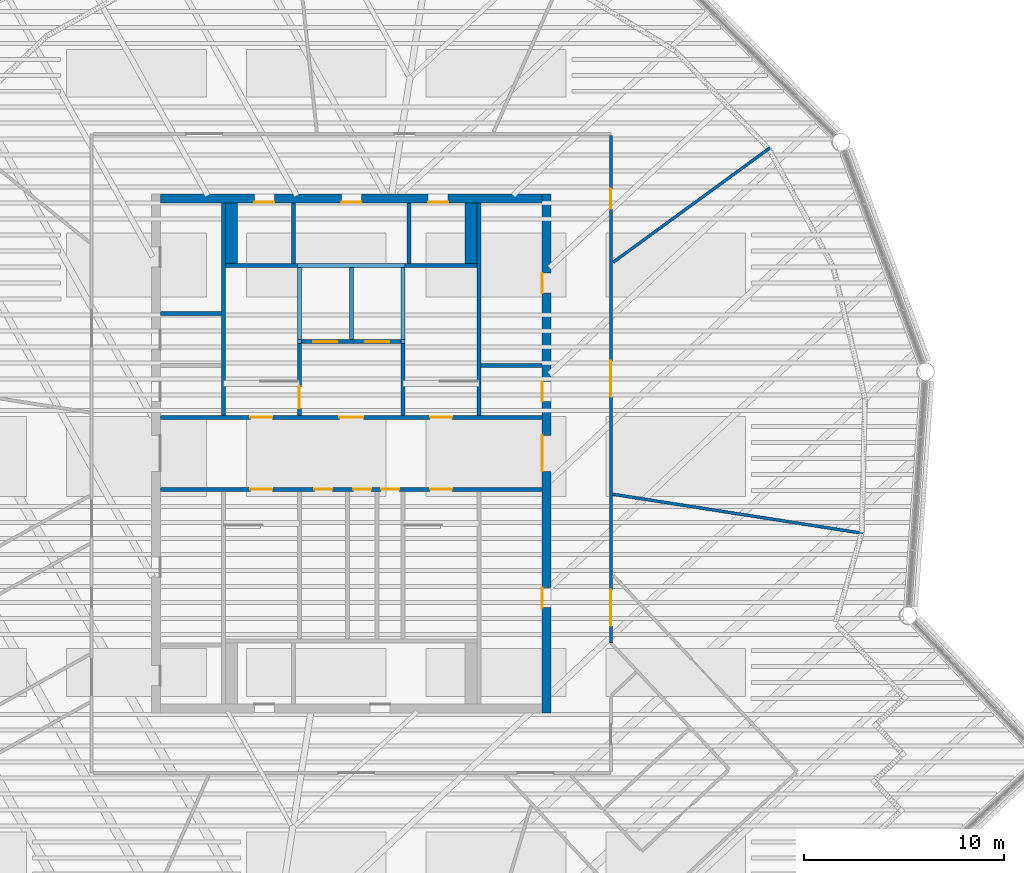
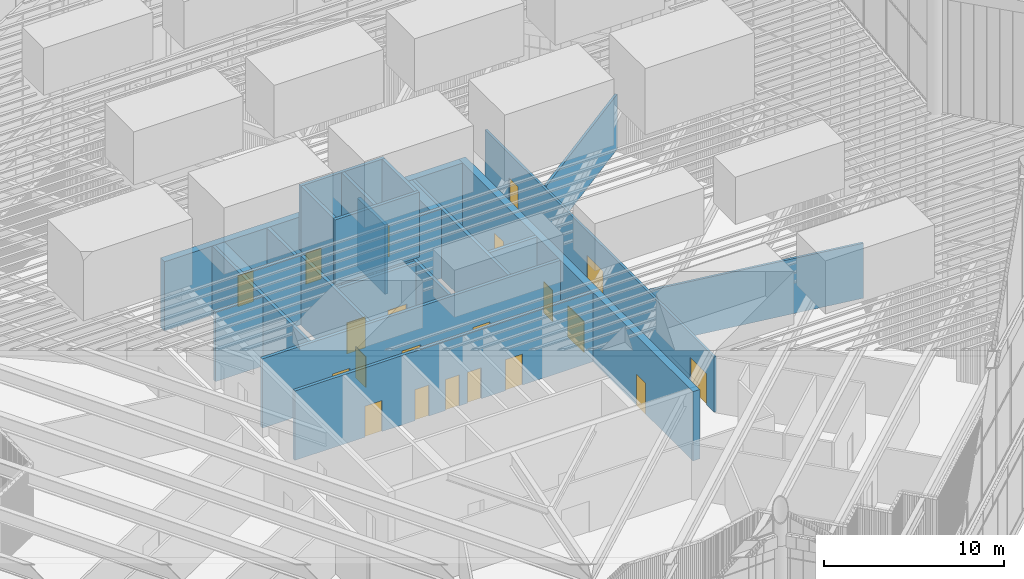
# One storey, part 83 of 117: 25 walls, 21 doors, 21 openings.
"""IFC4 building model written with IfcOpenShell, lengths in metres."""

from ifc_helpers import new_model, si_unit, direction, frame, frame_2d, origin, place, context, subcontext, project, spatial, rectangle, extrude, material, layer, layer_set, type_object, element, fill, save


model = new_model("IFC4")

# Units and contexts
model_context = context("Model", 3, precision=1e-05, world=origin(), true_north=direction((0.0, 1.0)))
body_context = subcontext(model_context, "Body", "Model", "MODEL_VIEW")
ifc_project = project(units=[si_unit("LENGTHUNIT", "METRE"), si_unit("AREAUNIT", "SQUARE_METRE"), si_unit("VOLUMEUNIT", "CUBIC_METRE"), si_unit("PLANEANGLEUNIT", "RADIAN"), si_unit("MASSUNIT", "GRAM", prefix="KILO")], contexts=[model_context])

# Site, building, storey
site_placement = place(None, origin())
site = spatial("IfcSite", under=ifc_project, at=site_placement, CompositionType="ELEMENT")
building_placement = place(site_placement, origin())
building = spatial("IfcBuilding", under=site, at=building_placement, Name="Tarsis Ring Headquarters", CompositionType="ELEMENT")
storey_placement = place(building_placement, frame((0.0, 0.0, 403.60009765625)))
storey = spatial("IfcBuildingStorey", under=building, at=storey_placement, Name="L95", CompositionType="ELEMENT", Elevation=403.60009765625)

# Walls
ifc_material_1 = material(Name="Blockwork", Category="masonry")
ifc_layer_1 = layer(ifc_material_1, 0.199951171875)
ifc_layer_set_1 = layer_set([ifc_layer_1], Name="Core blockwork wall 200")
wall_type_1 = type_object("IfcWallType", Name="Core blockwork wall 200", PredefinedType="PARTITIONING", material=ifc_layer_set_1)
for number, where, z_axis, x_axis, name in (
    (1, (-9.550048828125, 7.0, 0.0), (0.0, 0.0, 1.0), (1.0, 0.0, 0.0), "Core partition WD6"),
    (2, (6.5, 4.39990234375, 0.0), (0.0, 0.0, 1.0), (1.0, 0.0, 0.0), "Core partition ED5"),
    (3, (-2.89990234375, 9.5, 0.0), (0.0, 0.0, 1.0), (0.0, 1.0, 0.0), "Core partition ND1"),
    (4, (2.89990234375, 9.5, 0.0), (0.0, 0.0, 1.0), (0.0, 1.0, 0.0), "Core partition ND3"),
):
    element("IfcWall", number, at=place(storey_placement, frame(where, z_axis=z_axis, x_axis=x_axis)), inside=storey, type_object=wall_type_1, Name=name, PredefinedType="PARTITIONING", context=body_context, shape_type="SweptSolid", body=[
        extrude(rectangle(XDim=3.050048828125, YDim=0.199951171875, at=frame_2d((1.52490234375, 0.0))), origin(), (0.0, 0.0, 1.0), 4.699951171875),
    ])

# Wall, openings, doors
ifc_material_2 = material(Name="Concrete C50/60", Category="concrete")
ifc_layer_2 = layer(ifc_material_2, 0.449951171875)
ifc_layer_set_2 = layer_set([ifc_layer_2], Name="Core wall 450 C50/60")
wall_type_2 = type_object("IfcWallType", Name="Core wall 450 C50/60", PredefinedType="SHEAR", material=ifc_layer_set_2)
wall_1_placement = place(storey_placement, frame((9.77490234375, -13.0, 0.0), z_axis=(0.0, 0.0, 1.0), x_axis=(0.0, 1.0, 0.0)))
wall_1 = element("IfcWall", 5, at=wall_1_placement, inside=storey, type_object=wall_type_2, Name="Core wall OE", PredefinedType="SHEAR", context=body_context, shape_type="SweptSolid", body=[
    extrude(rectangle(XDim=26.0, YDim=0.449951171875, at=frame_2d((13.0, 0.0))), origin(), (0.0, 0.0, 1.0), 4.699951171875),
])
opening_1_placement = place(wall_1_placement, frame((5.27490234375, 0.0, 0.0)))
opening_1 = element("IfcOpeningElement", 6, at=opening_1_placement, cuts=wall_1, Name="Opening L95-C07", PredefinedType="OPENING", context=body_context, shape_type="SweptSolid", body=[
    extrude(rectangle(XDim=1.0, YDim=2.10009765625, at=frame_2d((0.5, 1.050048828125))), frame((0.0, 0.23486328125, 0.0), z_axis=(0.0, -1.0, 0.0), x_axis=(1.0, 0.0, 0.0)), (0.0, 0.0, 1.0), 0.469970703125),
])
opening_2_placement = place(wall_1_placement, frame((12.10009765625, 0.0, 0.0)))
opening_2 = element("IfcOpeningElement", 7, at=opening_2_placement, cuts=wall_1, Name="Opening L95-C08", PredefinedType="OPENING", context=body_context, shape_type="SweptSolid", body=[
    extrude(rectangle(XDim=1.800048828125, YDim=2.10009765625, at=frame_2d((0.89990234375, 1.050048828125))), frame((0.0, 0.23486328125, 0.0), z_axis=(0.0, -1.0, 0.0), x_axis=(1.0, 0.0, 0.0)), (0.0, 0.0, 1.0), 0.469970703125),
])
opening_3_placement = place(wall_1_placement, frame((15.60009765625, 0.0, 0.0)))
opening_3 = element("IfcOpeningElement", 8, at=opening_3_placement, cuts=wall_1, Name="Opening L95-C09", PredefinedType="OPENING", context=body_context, shape_type="SweptSolid", body=[
    extrude(rectangle(XDim=1.0, YDim=2.10009765625, at=frame_2d((0.5, 1.050048828125))), frame((0.0, 0.23486328125, 0.0), z_axis=(0.0, -1.0, 0.0), x_axis=(1.0, 0.0, 0.0)), (0.0, 0.0, 1.0), 0.469970703125),
])
opening_4_placement = place(wall_1_placement, frame((21.02490234375, 0.0, 0.0)))
opening_4 = element("IfcOpeningElement", 9, at=opening_4_placement, cuts=wall_1, Name="Opening L95-C10", PredefinedType="OPENING", context=body_context, shape_type="SweptSolid", body=[
    extrude(rectangle(XDim=1.0, YDim=2.10009765625, at=frame_2d((0.5, 1.050048828125))), frame((0.0, 0.23486328125, 0.0), z_axis=(0.0, -1.0, 0.0), x_axis=(1.0, 0.0, 0.0)), (0.0, 0.0, 1.0), 0.469970703125),
])
ifc_material_3 = material(Name="Steel S355", Category="steel")
door_type_1 = type_object("IfcDoorType", Name="Core entry door 1800x2100", OperationType="DOUBLE_DOOR_SINGLE_SWING", PredefinedType="DOOR", material=ifc_material_3)
door_1_placement = place(opening_2_placement, origin())
door_1 = element("IfcDoor", 10, at=door_1_placement, inside=storey, type_object=door_type_1, Name="Core entry door L95", OperationType="DOUBLE_DOOR_SINGLE_SWING", OverallHeight=2.10009765625, OverallWidth=1.800048828125, PredefinedType="DOOR", context=body_context, shape_type="SweptSolid", body=[
    extrude(rectangle(XDim=1.800048828125, YDim=2.10009765625, at=frame_2d((0.89990234375, 1.050048828125))), frame((0.0, 0.22509765625, 0.0), z_axis=(0.0, -1.0, 0.0), x_axis=(1.0, 0.0, 0.0)), (0.0, 0.0, 1.0), 0.050048828125),
])
fill(opening_2, door_1)
door_type_2 = type_object("IfcDoorType", Name="Core room door 1000x2100", OperationType="SINGLE_SWING_LEFT", PredefinedType="DOOR", material=ifc_material_3)
door_2_placement = place(opening_1_placement, origin())
door_2 = element("IfcDoor", 11, at=door_2_placement, inside=storey, type_object=door_type_2, Name="Core room door L95", OperationType="SINGLE_SWING_LEFT", OverallHeight=2.10009765625, OverallWidth=1.0, PredefinedType="DOOR", context=body_context, shape_type="SweptSolid", body=[
    extrude(rectangle(XDim=1.0, YDim=2.10009765625, at=frame_2d((0.5, 1.050048828125))), frame((0.0, 0.22509765625, 0.0), z_axis=(0.0, -1.0, 0.0), x_axis=(1.0, 0.0, 0.0)), (0.0, 0.0, 1.0), 0.050048828125),
])
fill(opening_1, door_2)
door_3_placement = place(opening_3_placement, origin())
door_3 = element("IfcDoor", 12, at=door_3_placement, inside=storey, type_object=door_type_2, Name="Core room door L95", OperationType="SINGLE_SWING_LEFT", OverallHeight=2.10009765625, OverallWidth=1.0, PredefinedType="DOOR", context=body_context, shape_type="SweptSolid", body=[
    extrude(rectangle(XDim=1.0, YDim=2.10009765625, at=frame_2d((0.5, 1.050048828125))), frame((0.0, 0.22509765625, 0.0), z_axis=(0.0, -1.0, 0.0), x_axis=(1.0, 0.0, 0.0)), (0.0, 0.0, 1.0), 0.050048828125),
])
fill(opening_3, door_3)
door_4_placement = place(opening_4_placement, origin())
door_4 = element("IfcDoor", 13, at=door_4_placement, inside=storey, type_object=door_type_2, Name="Core room door L95", OperationType="SINGLE_SWING_LEFT", OverallHeight=2.10009765625, OverallWidth=1.0, PredefinedType="DOOR", context=body_context, shape_type="SweptSolid", body=[
    extrude(rectangle(XDim=1.0, YDim=2.10009765625, at=frame_2d((0.5, 1.050048828125))), frame((0.0, 0.22509765625, 0.0), z_axis=(0.0, -1.0, 0.0), x_axis=(1.0, 0.0, 0.0)), (0.0, 0.0, 1.0), 0.050048828125),
])
fill(opening_4, door_4)

wall_2_placement = place(storey_placement, frame((-9.550048828125, 12.77490234375, 0.0), z_axis=(0.0, 0.0, 1.0), x_axis=(1.0, 0.0, 0.0)))
wall_2 = element("IfcWall", 14, at=wall_2_placement, inside=storey, type_object=wall_type_2, Name="Core wall ON", PredefinedType="SHEAR", context=body_context, shape_type="SweptSolid", body=[
    extrude(rectangle(XDim=19.10009765625, YDim=0.449951171875, at=frame_2d((9.550048828125, 0.0))), origin(), (0.0, 0.0, 1.0), 4.699951171875),
])
opening_5_placement = place(wall_2_placement, frame((4.699951171875, 0.0, 0.0)))
opening_5 = element("IfcOpeningElement", 15, at=opening_5_placement, cuts=wall_2, Name="Opening L95-C11", PredefinedType="OPENING", context=body_context, shape_type="SweptSolid", body=[
    extrude(rectangle(XDim=1.0, YDim=2.10009765625, at=frame_2d((0.5, 1.050048828125))), frame((0.0, 0.23486328125, 0.0), z_axis=(0.0, -1.0, 0.0), x_axis=(1.0, 0.0, 0.0)), (0.0, 0.0, 1.0), 0.469970703125),
])
opening_6_placement = place(wall_2_placement, frame((9.050048828125, 0.0, 0.0)))
opening_6 = element("IfcOpeningElement", 16, at=opening_6_placement, cuts=wall_2, Name="Opening L95-C12", PredefinedType="OPENING", context=body_context, shape_type="SweptSolid", body=[
    extrude(rectangle(XDim=1.0, YDim=2.10009765625, at=frame_2d((0.5, 1.050048828125))), frame((0.0, 0.23486328125, 0.0), z_axis=(0.0, -1.0, 0.0), x_axis=(1.0, 0.0, 0.0)), (0.0, 0.0, 1.0), 0.469970703125),
])
opening_7_placement = place(wall_2_placement, frame((13.39990234375, 0.0, 0.0)))
opening_7 = element("IfcOpeningElement", 17, at=opening_7_placement, cuts=wall_2, Name="Opening L95-C13", PredefinedType="OPENING", context=body_context, shape_type="SweptSolid", body=[
    extrude(rectangle(XDim=1.0, YDim=2.10009765625, at=frame_2d((0.5, 1.050048828125))), frame((0.0, 0.23486328125, 0.0), z_axis=(0.0, -1.0, 0.0), x_axis=(1.0, 0.0, 0.0)), (0.0, 0.0, 1.0), 0.469970703125),
])
door_5_placement = place(opening_5_placement, origin())
door_5 = element("IfcDoor", 18, at=door_5_placement, inside=storey, type_object=door_type_2, Name="Core room door L95", OperationType="SINGLE_SWING_LEFT", OverallHeight=2.10009765625, OverallWidth=1.0, PredefinedType="DOOR", context=body_context, shape_type="SweptSolid", body=[
    extrude(rectangle(XDim=1.0, YDim=2.10009765625, at=frame_2d((0.5, 1.050048828125))), frame((0.0, -0.1748046875, 0.0), z_axis=(0.0, -1.0, 0.0), x_axis=(1.0, 0.0, 0.0)), (0.0, 0.0, 1.0), 0.050048828125),
])
fill(opening_5, door_5)
door_6_placement = place(opening_6_placement, origin())
door_6 = element("IfcDoor", 19, at=door_6_placement, inside=storey, type_object=door_type_2, Name="Core room door L95", OperationType="SINGLE_SWING_LEFT", OverallHeight=2.10009765625, OverallWidth=1.0, PredefinedType="DOOR", context=body_context, shape_type="SweptSolid", body=[
    extrude(rectangle(XDim=1.0, YDim=2.10009765625, at=frame_2d((0.5, 1.050048828125))), frame((0.0, -0.1748046875, 0.0), z_axis=(0.0, -1.0, 0.0), x_axis=(1.0, 0.0, 0.0)), (0.0, 0.0, 1.0), 0.050048828125),
])
fill(opening_6, door_6)
door_7_placement = place(opening_7_placement, origin())
door_7 = element("IfcDoor", 20, at=door_7_placement, inside=storey, type_object=door_type_2, Name="Core room door L95", OperationType="SINGLE_SWING_LEFT", OverallHeight=2.10009765625, OverallWidth=1.0, PredefinedType="DOOR", context=body_context, shape_type="SweptSolid", body=[
    extrude(rectangle(XDim=1.0, YDim=2.10009765625, at=frame_2d((0.5, 1.050048828125))), frame((0.0, -0.1748046875, 0.0), z_axis=(0.0, -1.0, 0.0), x_axis=(1.0, 0.0, 0.0)), (0.0, 0.0, 1.0), 0.050048828125),
])
fill(opening_7, door_7)

ifc_material_4 = material(Name="Gypsum board on steel studs", Category="steel")
ifc_layer_3 = layer(ifc_material_4, 0.14990234375)
ifc_layer_set_3 = layer_set([ifc_layer_3], Name="FL partition 150 EI 120 H3730")
wall_type_3 = type_object("IfcWallType", Name="FL partition 150 EI 120 H3730", PredefinedType="PARTITIONING", material=ifc_layer_set_3)
wall_3_placement = place(storey_placement, frame((13.0, -9.493408203125, 0.0), z_axis=(0.0, 0.0, 1.0), x_axis=(0.0, 1.0, 0.0)))
wall_3 = element("IfcWall", 21, at=wall_3_placement, inside=storey, type_object=wall_type_3, Name="Partition PW2H373", PredefinedType="PARTITIONING", context=body_context, shape_type="SweptSolid", body=[
    extrude(rectangle(XDim=25.413330078125, YDim=0.14990234375, at=frame_2d((12.70654296875, 0.0))), origin(), (0.0, 0.0, 1.0), 3.72998046875),
])
opening_8_placement = place(wall_3_placement, frame((21.73681640625, 0.0, 0.0)))
opening_8 = element("IfcOpeningElement", 22, at=opening_8_placement, cuts=wall_3, Name="Opening D95.06", PredefinedType="OPENING", context=body_context, shape_type="SweptSolid", body=[
    extrude(rectangle(XDim=1.0, YDim=2.10009765625, at=frame_2d((0.5, 1.050048828125))), frame((0.0, 0.0849609375, 0.0), z_axis=(0.0, -1.0, 0.0), x_axis=(1.0, 0.0, 0.0)), (0.0, 0.0, 1.0), 0.169921875),
])
opening_9_placement = place(wall_3_placement, frame((12.3212890625, 0.0, 0.0)))
opening_9 = element("IfcOpeningElement", 23, at=opening_9_placement, cuts=wall_3, Name="Opening D95.07", PredefinedType="OPENING", context=body_context, shape_type="SweptSolid", body=[
    extrude(rectangle(XDim=1.800048828125, YDim=2.10009765625, at=frame_2d((0.89990234375, 1.050048828125))), frame((0.0, 0.0849609375, 0.0), z_axis=(0.0, -1.0, 0.0), x_axis=(1.0, 0.0, 0.0)), (0.0, 0.0, 1.0), 0.169921875),
])
opening_10_placement = place(wall_3_placement, frame((0.855712890625, 0.0, 0.0)))
opening_10 = element("IfcOpeningElement", 24, at=opening_10_placement, cuts=wall_3, Name="Opening D95.15", PredefinedType="OPENING", context=body_context, shape_type="SweptSolid", body=[
    extrude(rectangle(XDim=1.800048828125, YDim=2.10009765625, at=frame_2d((0.89990234375, 1.050048828125))), frame((0.0, 0.0849609375, 0.0), z_axis=(0.0, -1.0, 0.0), x_axis=(1.0, 0.0, 0.0)), (0.0, 0.0, 1.0), 0.169921875),
])
ifc_material_5 = material(Name="Fire-rated timber door leaf in steel frame", Category="steel")
door_type_3 = type_object("IfcDoorType", Name="FL door FD120-1000", OperationType="NOTDEFINED", PredefinedType="DOOR", material=ifc_material_5)
door_8_placement = place(opening_8_placement, origin())
door_8 = element("IfcDoor", 25, at=door_8_placement, inside=storey, type_object=door_type_3, Name="Door D95.06", OperationType="SINGLE_SWING_LEFT", OverallHeight=2.10009765625, OverallWidth=1.0, PredefinedType="DOOR", context=body_context, shape_type="SweptSolid", body=[
    extrude(rectangle(XDim=1.0, YDim=2.10009765625, at=frame_2d((0.5, 1.050048828125))), frame((0.0, 0.02490234375, 0.0), z_axis=(0.0, -1.0, 0.0), x_axis=(1.0, 0.0, 0.0)), (0.0, 0.0, 1.0), 0.050048828125),
])
fill(opening_8, door_8)
door_type_4 = type_object("IfcDoorType", Name="FL door FD120-1800", OperationType="DOUBLE_DOOR_SINGLE_SWING", PredefinedType="DOOR", material=ifc_material_5)
door_9_placement = place(opening_9_placement, origin())
door_9 = element("IfcDoor", 26, at=door_9_placement, inside=storey, type_object=door_type_4, Name="Door D95.07", OperationType="DOUBLE_DOOR_SINGLE_SWING", OverallHeight=2.10009765625, OverallWidth=1.800048828125, PredefinedType="DOOR", context=body_context, shape_type="SweptSolid", body=[
    extrude(rectangle(XDim=1.800048828125, YDim=2.10009765625, at=frame_2d((0.89990234375, 1.050048828125))), frame((0.0, 0.02490234375, 0.0), z_axis=(0.0, -1.0, 0.0), x_axis=(1.0, 0.0, 0.0)), (0.0, 0.0, 1.0), 0.050048828125),
])
fill(opening_9, door_9)
door_10_placement = place(opening_10_placement, origin())
door_10 = element("IfcDoor", 27, at=door_10_placement, inside=storey, type_object=door_type_4, Name="Door D95.15", OperationType="DOUBLE_DOOR_SINGLE_SWING", OverallHeight=2.10009765625, OverallWidth=1.800048828125, PredefinedType="DOOR", context=body_context, shape_type="SweptSolid", body=[
    extrude(rectangle(XDim=1.800048828125, YDim=2.10009765625, at=frame_2d((0.89990234375, 1.050048828125))), frame((0.0, 0.02490234375, 0.0), z_axis=(0.0, -1.0, 0.0), x_axis=(1.0, 0.0, 0.0)), (0.0, 0.0, 1.0), 0.050048828125),
])
fill(opening_10, door_10)

# Walls
wall_4_placement = place(storey_placement, frame((13.0791015625, -2.04345703125, 0.0), z_axis=(0.0, 0.0, 1.0), x_axis=(0.988014597206, -0.154360473271, 0.0)))
element("IfcWall", 28, at=wall_4_placement, inside=storey, type_object=wall_type_3, Name="Partition PW2H373", PredefinedType="PARTITIONING", context=body_context, shape_type="SweptSolid", body=[
    extrude(rectangle(XDim=12.7099609375, YDim=0.14990234375, at=frame_2d((6.35498046875, 0.0))), origin(), (0.0, 0.0, 1.0), 3.72998046875),
])
wall_5_placement = place(storey_placement, frame((13.113037109375, 9.569091796875, 0.0), z_axis=(0.0, 0.0, 1.0), x_axis=(0.807778657416, 0.58948591215, 0.0)))
element("IfcWall", 29, at=wall_5_placement, inside=storey, type_object=wall_type_3, Name="Partition PW2H373", PredefinedType="PARTITIONING", context=body_context, shape_type="SweptSolid", body=[
    extrude(rectangle(XDim=9.714599609375, YDim=0.14990234375, at=frame_2d((4.857421875, 0.0))), origin(), (0.0, 0.0, 1.0), 3.72998046875),
])
ifc_material_6 = material(Name="Concrete C32/40", Category="concrete")
ifc_layer_4 = layer(ifc_material_6, 0.199951171875)
ifc_layer_set_4 = layer_set([ifc_layer_4], Name="Lift overrun wall 200 C32/40")
wall_type_4 = type_object("IfcWallType", Name="Lift overrun wall 200 C32/40", PredefinedType="SOLIDWALL", material=ifc_layer_set_4)
for number, where, z_axis, x_axis, name in (
    (30, (-2.699951171875, 5.60009765625, 5.0), (0.0, 0.0, 1.0), (1.0, 0.0, 0.0), "Lift overrun south wall"),
    (31, (-2.699951171875, 9.39990234375, 5.0), (0.0, 0.0, 1.0), (1.0, 0.0, 0.0), "Lift overrun north wall"),
):
    element("IfcWall", number, at=place(storey_placement, frame(where, z_axis=z_axis, x_axis=x_axis)), inside=storey, type_object=wall_type_4, Name=name, PredefinedType="SOLIDWALL", context=body_context, shape_type="SweptSolid", body=[
        extrude(rectangle(XDim=5.39990234375, YDim=0.199951171875, at=frame_2d((2.699951171875, 0.0))), origin(), (0.0, 0.0, 1.0), 4.39990234375),
    ])
for number, where, z_axis, x_axis, name in (
    (32, (-2.60009765625, 5.699951171875, 5.0), (0.0, 0.0, 1.0), (0.0, 1.0, 0.0), "Lift overrun west wall"),
    (33, (2.60009765625, 5.699951171875, 5.0), (0.0, 0.0, 1.0), (0.0, 1.0, 0.0), "Lift overrun east wall"),
    (34, (0.0, 5.699951171875, 5.0), (0.0, 0.0, 1.0), (0.0, 1.0, 0.0), "Lift overrun divider wall"),
):
    element("IfcWall", number, at=place(storey_placement, frame(where, z_axis=z_axis, x_axis=x_axis)), inside=storey, type_object=wall_type_4, Name=name, PredefinedType="SOLIDWALL", context=body_context, shape_type="SweptSolid", body=[
        extrude(rectangle(XDim=3.60009765625, YDim=0.199951171875, at=frame_2d((1.800048828125, 0.0))), origin(), (0.0, 0.0, 1.0), 4.39990234375),
    ])
ifc_layer_5 = layer(ifc_material_6, 0.60009765625)
ifc_layer_set_5 = layer_set([ifc_layer_5], Name="Shaft end wall 600 C32/40")
wall_type_5 = type_object("IfcWallType", Name="Shaft end wall 600 C32/40", PredefinedType="SOLIDWALL", material=ifc_layer_set_5)
for number, where, z_axis, x_axis, name in (
    (35, (-6.0, 9.5, 0.0), (0.0, 0.0, 1.0), (0.0, 1.0, 0.0), "Core shaft wall NNE1"),
    (36, (6.0, 9.5, 0.0), (0.0, 0.0, 1.0), (0.0, 1.0, 0.0), "Core shaft wall NNE2"),
):
    element("IfcWall", number, at=place(storey_placement, frame(where, z_axis=z_axis, x_axis=x_axis)), inside=storey, type_object=wall_type_5, Name=name, PredefinedType="SOLIDWALL", context=body_context, shape_type="SweptSolid", body=[
        extrude(rectangle(XDim=3.050048828125, YDim=0.60009765625, at=frame_2d((1.52490234375, 0.0))), origin(), (0.0, 0.0, 1.0), 4.699951171875),
    ])

# Wall, openings, doors
ifc_layer_6 = layer(ifc_material_6, 0.199951171875)
ifc_layer_set_6 = layer_set([ifc_layer_6], Name="Shaft wall 200 C32/40")
wall_type_6 = type_object("IfcWallType", Name="Shaft wall 200 C32/40", PredefinedType="SOLIDWALL", material=ifc_layer_set_6)
wall_6_placement = place(storey_placement, frame((-9.550048828125, 1.800048828125, 0.0), z_axis=(0.0, 0.0, 1.0), x_axis=(1.0, 0.0, 0.0)))
wall_6 = element("IfcWall", 37, at=wall_6_placement, inside=storey, type_object=wall_type_6, Name="Core shaft wall CN", PredefinedType="SOLIDWALL", context=body_context, shape_type="SweptSolid", body=[
    extrude(rectangle(XDim=19.10009765625, YDim=0.199951171875, at=frame_2d((9.550048828125, 0.0))), origin(), (0.0, 0.0, 1.0), 4.699951171875),
])
opening_11_placement = place(wall_6_placement, frame((4.5, 0.0, 0.0)))
opening_11 = element("IfcOpeningElement", 38, at=opening_11_placement, cuts=wall_6, Name="Opening L95-C16", PredefinedType="OPENING", context=body_context, shape_type="SweptSolid", body=[
    extrude(rectangle(XDim=1.10009765625, YDim=2.10009765625, at=frame_2d((0.550048828125, 1.050048828125))), frame((0.0, 0.10986328125, 0.0), z_axis=(0.0, -1.0, 0.0), x_axis=(1.0, 0.0, 0.0)), (0.0, 0.0, 1.0), 0.219970703125),
])
opening_12_placement = place(wall_6_placement, frame((8.949951171875, 0.0, 0.0)))
opening_12 = element("IfcOpeningElement", 39, at=opening_12_placement, cuts=wall_6, Name="Opening L95-C17", PredefinedType="OPENING", context=body_context, shape_type="SweptSolid", body=[
    extrude(rectangle(XDim=1.199951171875, YDim=2.10009765625, at=frame_2d((0.60009765625, 1.050048828125))), frame((0.0, 0.10986328125, 0.0), z_axis=(0.0, -1.0, 0.0), x_axis=(1.0, 0.0, 0.0)), (0.0, 0.0, 1.0), 0.219970703125),
])
opening_13_placement = place(wall_6_placement, frame((13.5, 0.0, 0.0)))
opening_13 = element("IfcOpeningElement", 40, at=opening_13_placement, cuts=wall_6, Name="Opening L95-C18", PredefinedType="OPENING", context=body_context, shape_type="SweptSolid", body=[
    extrude(rectangle(XDim=1.10009765625, YDim=2.10009765625, at=frame_2d((0.550048828125, 1.050048828125))), frame((0.0, 0.10986328125, 0.0), z_axis=(0.0, -1.0, 0.0), x_axis=(1.0, 0.0, 0.0)), (0.0, 0.0, 1.0), 0.219970703125),
])
door_type_5 = type_object("IfcDoorType", Name="Firefighting lobby door 1200x2100", OperationType="DOUBLE_DOOR_SINGLE_SWING", PredefinedType="DOOR", material=ifc_material_3)
door_11_placement = place(opening_12_placement, origin())
door_11 = element("IfcDoor", 41, at=door_11_placement, inside=storey, type_object=door_type_5, Name="Firefighting lobby door L95", OperationType="DOUBLE_DOOR_SINGLE_SWING", OverallHeight=2.10009765625, OverallWidth=1.199951171875, PredefinedType="DOOR", context=body_context, shape_type="SweptSolid", body=[
    extrude(rectangle(XDim=1.199951171875, YDim=2.10009765625, at=frame_2d((0.60009765625, 1.050048828125))), frame((0.0, 0.02490234375, 0.0), z_axis=(0.0, -1.0, 0.0), x_axis=(1.0, 0.0, 0.0)), (0.0, 0.0, 1.0), 0.050048828125),
])
fill(opening_12, door_11)
door_type_6 = type_object("IfcDoorType", Name="Stair door 1100x2100", OperationType="SINGLE_SWING_LEFT", PredefinedType="DOOR", material=ifc_material_3)
door_12_placement = place(opening_11_placement, origin())
door_12 = element("IfcDoor", 42, at=door_12_placement, inside=storey, type_object=door_type_6, Name="Stair door L95", OperationType="SINGLE_SWING_LEFT", OverallHeight=2.10009765625, OverallWidth=1.10009765625, PredefinedType="DOOR", context=body_context, shape_type="SweptSolid", body=[
    extrude(rectangle(XDim=1.10009765625, YDim=2.10009765625, at=frame_2d((0.550048828125, 1.050048828125))), frame((0.0, 0.02490234375, 0.0), z_axis=(0.0, -1.0, 0.0), x_axis=(1.0, 0.0, 0.0)), (0.0, 0.0, 1.0), 0.050048828125),
])
fill(opening_11, door_12)
door_13_placement = place(opening_13_placement, origin())
door_13 = element("IfcDoor", 43, at=door_13_placement, inside=storey, type_object=door_type_6, Name="Stair door L95", OperationType="SINGLE_SWING_LEFT", OverallHeight=2.10009765625, OverallWidth=1.10009765625, PredefinedType="DOOR", context=body_context, shape_type="SweptSolid", body=[
    extrude(rectangle(XDim=1.10009765625, YDim=2.10009765625, at=frame_2d((0.550048828125, 1.050048828125))), frame((0.0, 0.02490234375, 0.0), z_axis=(0.0, -1.0, 0.0), x_axis=(1.0, 0.0, 0.0)), (0.0, 0.0, 1.0), 0.050048828125),
])
fill(opening_13, door_13)

wall_7_placement = place(storey_placement, frame((-9.550048828125, -1.800048828125, 0.0), z_axis=(0.0, 0.0, 1.0), x_axis=(1.0, 0.0, 0.0)))
wall_7 = element("IfcWall", 44, at=wall_7_placement, inside=storey, type_object=wall_type_6, Name="Core shaft wall CS", PredefinedType="SOLIDWALL", context=body_context, shape_type="SweptSolid", body=[
    extrude(rectangle(XDim=19.10009765625, YDim=0.199951171875, at=frame_2d((9.550048828125, 0.0))), origin(), (0.0, 0.0, 1.0), 4.699951171875),
])
opening_14_placement = place(wall_7_placement, frame((4.5, 0.0, 0.0)))
opening_14 = element("IfcOpeningElement", 45, at=opening_14_placement, cuts=wall_7, Name="Opening L95-C19", PredefinedType="OPENING", context=body_context, shape_type="SweptSolid", body=[
    extrude(rectangle(XDim=1.10009765625, YDim=2.10009765625, at=frame_2d((0.550048828125, 1.050048828125))), frame((0.0, 0.10986328125, 0.0), z_axis=(0.0, -1.0, 0.0), x_axis=(1.0, 0.0, 0.0)), (0.0, 0.0, 1.0), 0.219970703125),
])
opening_15_placement = place(wall_7_placement, frame((7.699951171875, 0.0, 0.0)))
opening_15 = element("IfcOpeningElement", 46, at=opening_15_placement, cuts=wall_7, Name="Opening L95-C20", PredefinedType="OPENING", context=body_context, shape_type="SweptSolid", body=[
    extrude(rectangle(XDim=0.89990234375, YDim=2.10009765625, at=frame_2d((0.449951171875, 1.050048828125))), frame((0.0, 0.10986328125, 0.0), z_axis=(0.0, -1.0, 0.0), x_axis=(1.0, 0.0, 0.0)), (0.0, 0.0, 1.0), 0.219970703125),
])
opening_16_placement = place(wall_7_placement, frame((9.64990234375, 0.0, 0.0)))
opening_16 = element("IfcOpeningElement", 47, at=opening_16_placement, cuts=wall_7, Name="Opening L95-C21", PredefinedType="OPENING", context=body_context, shape_type="SweptSolid", body=[
    extrude(rectangle(XDim=0.89990234375, YDim=2.10009765625, at=frame_2d((0.449951171875, 1.050048828125))), frame((0.0, 0.10986328125, 0.0), z_axis=(0.0, -1.0, 0.0), x_axis=(1.0, 0.0, 0.0)), (0.0, 0.0, 1.0), 0.219970703125),
])
opening_17_placement = place(wall_7_placement, frame((11.050048828125, 0.0, 0.0)))
opening_17 = element("IfcOpeningElement", 48, at=opening_17_placement, cuts=wall_7, Name="Opening L95-C22", PredefinedType="OPENING", context=body_context, shape_type="SweptSolid", body=[
    extrude(rectangle(XDim=0.89990234375, YDim=2.10009765625, at=frame_2d((0.449951171875, 1.050048828125))), frame((0.0, 0.10986328125, 0.0), z_axis=(0.0, -1.0, 0.0), x_axis=(1.0, 0.0, 0.0)), (0.0, 0.0, 1.0), 0.219970703125),
])
opening_18_placement = place(wall_7_placement, frame((13.5, 0.0, 0.0)))
opening_18 = element("IfcOpeningElement", 49, at=opening_18_placement, cuts=wall_7, Name="Opening L95-C23", PredefinedType="OPENING", context=body_context, shape_type="SweptSolid", body=[
    extrude(rectangle(XDim=1.10009765625, YDim=2.10009765625, at=frame_2d((0.550048828125, 1.050048828125))), frame((0.0, 0.10986328125, 0.0), z_axis=(0.0, -1.0, 0.0), x_axis=(1.0, 0.0, 0.0)), (0.0, 0.0, 1.0), 0.219970703125),
])
door_14_placement = place(opening_14_placement, origin())
door_14 = element("IfcDoor", 50, at=door_14_placement, inside=storey, type_object=door_type_6, Name="Stair door L95", OperationType="SINGLE_SWING_LEFT", OverallHeight=2.10009765625, OverallWidth=1.10009765625, PredefinedType="DOOR", context=body_context, shape_type="SweptSolid", body=[
    extrude(rectangle(XDim=1.10009765625, YDim=2.10009765625, at=frame_2d((0.550048828125, 1.050048828125))), frame((0.0, 0.02490234375, 0.0), z_axis=(0.0, -1.0, 0.0), x_axis=(1.0, 0.0, 0.0)), (0.0, 0.0, 1.0), 0.050048828125),
])
fill(opening_14, door_14)
door_15_placement = place(opening_18_placement, origin())
door_15 = element("IfcDoor", 51, at=door_15_placement, inside=storey, type_object=door_type_6, Name="Stair door L95", OperationType="SINGLE_SWING_LEFT", OverallHeight=2.10009765625, OverallWidth=1.10009765625, PredefinedType="DOOR", context=body_context, shape_type="SweptSolid", body=[
    extrude(rectangle(XDim=1.10009765625, YDim=2.10009765625, at=frame_2d((0.550048828125, 1.050048828125))), frame((0.0, 0.02490234375, 0.0), z_axis=(0.0, -1.0, 0.0), x_axis=(1.0, 0.0, 0.0)), (0.0, 0.0, 1.0), 0.050048828125),
])
fill(opening_18, door_15)
door_type_7 = type_object("IfcDoorType", Name="WC door 900x2100", OperationType="SINGLE_SWING_LEFT", PredefinedType="DOOR", material=ifc_material_3)
door_16_placement = place(opening_15_placement, origin())
door_16 = element("IfcDoor", 52, at=door_16_placement, inside=storey, type_object=door_type_7, Name="WC door L95", OperationType="SINGLE_SWING_LEFT", OverallHeight=2.10009765625, OverallWidth=0.89990234375, PredefinedType="DOOR", context=body_context, shape_type="SweptSolid", body=[
    extrude(rectangle(XDim=0.89990234375, YDim=2.10009765625, at=frame_2d((0.449951171875, 1.050048828125))), frame((0.0, 0.02490234375, 0.0), z_axis=(0.0, -1.0, 0.0), x_axis=(1.0, 0.0, 0.0)), (0.0, 0.0, 1.0), 0.050048828125),
])
fill(opening_15, door_16)
door_17_placement = place(opening_16_placement, origin())
door_17 = element("IfcDoor", 53, at=door_17_placement, inside=storey, type_object=door_type_7, Name="WC door L95", OperationType="SINGLE_SWING_LEFT", OverallHeight=2.10009765625, OverallWidth=0.89990234375, PredefinedType="DOOR", context=body_context, shape_type="SweptSolid", body=[
    extrude(rectangle(XDim=0.89990234375, YDim=2.10009765625, at=frame_2d((0.449951171875, 1.050048828125))), frame((0.0, 0.02490234375, 0.0), z_axis=(0.0, -1.0, 0.0), x_axis=(1.0, 0.0, 0.0)), (0.0, 0.0, 1.0), 0.050048828125),
])
fill(opening_16, door_17)
door_18_placement = place(opening_17_placement, origin())
door_18 = element("IfcDoor", 54, at=door_18_placement, inside=storey, type_object=door_type_7, Name="WC door L95", OperationType="SINGLE_SWING_LEFT", OverallHeight=2.10009765625, OverallWidth=0.89990234375, PredefinedType="DOOR", context=body_context, shape_type="SweptSolid", body=[
    extrude(rectangle(XDim=0.89990234375, YDim=2.10009765625, at=frame_2d((0.449951171875, 1.050048828125))), frame((0.0, 0.02490234375, 0.0), z_axis=(0.0, -1.0, 0.0), x_axis=(1.0, 0.0, 0.0)), (0.0, 0.0, 1.0), 0.050048828125),
])
fill(opening_17, door_18)

# Walls
for number, where, z_axis, x_axis, name in (
    (55, (-6.39990234375, 1.89990234375, 0.0), (0.0, 0.0, 1.0), (0.0, 1.0, 0.0), "Core shaft wall WB2"),
    (56, (6.39990234375, 1.89990234375, 0.0), (0.0, 0.0, 1.0), (0.0, 1.0, 0.0), "Core shaft wall EB2"),
):
    element("IfcWall", number, at=place(storey_placement, frame(where, z_axis=z_axis, x_axis=x_axis)), inside=storey, type_object=wall_type_6, Name=name, PredefinedType="SOLIDWALL", context=body_context, shape_type="SweptSolid", body=[
        extrude(rectangle(XDim=10.650146484375, YDim=0.199951171875, at=frame_2d((5.3251953125, 0.0))), origin(), (0.0, 0.0, 1.0), 4.699951171875),
    ])
wall_8_placement = place(storey_placement, frame((-6.300048828125, 9.39990234375, 0.0), z_axis=(0.0, 0.0, 1.0), x_axis=(1.0, 0.0, 0.0)))
element("IfcWall", 57, at=wall_8_placement, inside=storey, type_object=wall_type_6, Name="Core shaft wall NB", PredefinedType="SOLIDWALL", context=body_context, shape_type="SweptSolid", body=[
    extrude(rectangle(XDim=12.60009765625, YDim=0.199951171875, at=frame_2d((6.300048828125, 0.0))), origin(), (0.0, 0.0, 1.0), 4.699951171875),
])

# Wall, opening, door
wall_9_placement = place(storey_placement, frame((-2.60009765625, 1.89990234375, 0.0), z_axis=(0.0, 0.0, 1.0), x_axis=(0.0, 1.0, 0.0)))
wall_9 = element("IfcWall", 58, at=wall_9_placement, inside=storey, type_object=wall_type_6, Name="Core shaft wall SW1", PredefinedType="SOLIDWALL", context=body_context, shape_type="SweptSolid", body=[
    extrude(rectangle(XDim=7.400146484375, YDim=0.199951171875, at=frame_2d((3.7001953125, 0.0))), origin(), (0.0, 0.0, 1.0), 4.699951171875),
])
opening_19_placement = place(wall_9_placement, frame((0.35009765625, 0.0, 0.0)))
opening_19 = element("IfcOpeningElement", 59, at=opening_19_placement, cuts=wall_9, Name="Opening L95-C24", PredefinedType="OPENING", context=body_context, shape_type="SweptSolid", body=[
    extrude(rectangle(XDim=1.10009765625, YDim=2.10009765625, at=frame_2d((0.550048828125, 1.050048828125))), frame((0.0, 0.10986328125, 0.0), z_axis=(0.0, -1.0, 0.0), x_axis=(1.0, 0.0, 0.0)), (0.0, 0.0, 1.0), 0.219970703125),
])
door_19_placement = place(opening_19_placement, origin())
door_19 = element("IfcDoor", 60, at=door_19_placement, inside=storey, type_object=door_type_6, Name="Stair door L95", OperationType="SINGLE_SWING_LEFT", OverallHeight=2.10009765625, OverallWidth=1.10009765625, PredefinedType="DOOR", context=body_context, shape_type="SweptSolid", body=[
    extrude(rectangle(XDim=1.10009765625, YDim=2.10009765625, at=frame_2d((0.550048828125, 1.050048828125))), frame((0.0, 0.02490234375, 0.0), z_axis=(0.0, -1.0, 0.0), x_axis=(1.0, 0.0, 0.0)), (0.0, 0.0, 1.0), 0.050048828125),
])
fill(opening_19, door_19)

# Wall
wall_10_placement = place(storey_placement, frame((2.60009765625, 1.89990234375, 0.0), z_axis=(0.0, 0.0, 1.0), x_axis=(0.0, 1.0, 0.0)))
element("IfcWall", 61, at=wall_10_placement, inside=storey, type_object=wall_type_6, Name="Core shaft wall SW2", PredefinedType="SOLIDWALL", context=body_context, shape_type="SweptSolid", body=[
    extrude(rectangle(XDim=7.400146484375, YDim=0.199951171875, at=frame_2d((3.7001953125, 0.0))), origin(), (0.0, 0.0, 1.0), 4.699951171875),
])

# Wall, openings, doors
wall_11_placement = place(storey_placement, frame((-2.5, 5.60009765625, 0.0), z_axis=(0.0, 0.0, 1.0), x_axis=(1.0, 0.0, 0.0)))
wall_11 = element("IfcWall", 62, at=wall_11_placement, inside=storey, type_object=wall_type_6, Name="Core shaft wall FFN", PredefinedType="SOLIDWALL", context=body_context, shape_type="SweptSolid", body=[
    extrude(rectangle(XDim=5.0, YDim=0.199951171875, at=frame_2d((2.5, 0.0))), origin(), (0.0, 0.0, 1.0), 4.699951171875),
])
opening_20_placement = place(wall_11_placement, frame((0.60009765625, 0.0, 0.0)))
opening_20 = element("IfcOpeningElement", 63, at=opening_20_placement, cuts=wall_11, Name="Opening LDF-1", PredefinedType="OPENING", context=body_context, shape_type="SweptSolid", body=[
    extrude(rectangle(XDim=1.199951171875, YDim=2.10009765625, at=frame_2d((0.60009765625, 1.050048828125))), frame((0.0, 0.10986328125, 0.0), z_axis=(0.0, -1.0, 0.0), x_axis=(1.0, 0.0, 0.0)), (0.0, 0.0, 1.0), 0.219970703125),
])
opening_21_placement = place(wall_11_placement, frame((3.199951171875, 0.0, 0.0)))
opening_21 = element("IfcOpeningElement", 64, at=opening_21_placement, cuts=wall_11, Name="Opening LDF-2", PredefinedType="OPENING", context=body_context, shape_type="SweptSolid", body=[
    extrude(rectangle(XDim=1.199951171875, YDim=2.10009765625, at=frame_2d((0.60009765625, 1.050048828125))), frame((0.0, 0.10986328125, 0.0), z_axis=(0.0, -1.0, 0.0), x_axis=(1.0, 0.0, 0.0)), (0.0, 0.0, 1.0), 0.219970703125),
])
door_type_8 = type_object("IfcDoorType", Name="Firefighting landing door 1200x2100", OperationType="SLIDING_TO_LEFT", PredefinedType="DOOR", material=ifc_material_3)
door_20_placement = place(opening_20_placement, origin())
door_20 = element("IfcDoor", 65, at=door_20_placement, inside=storey, type_object=door_type_8, Name="Landing door FF1 L95", OperationType="SLIDING_TO_LEFT", OverallHeight=2.10009765625, OverallWidth=1.199951171875, PredefinedType="DOOR", context=body_context, shape_type="SweptSolid", body=[
    extrude(rectangle(XDim=1.199951171875, YDim=2.10009765625, at=frame_2d((0.60009765625, 1.050048828125))), frame((0.0, 0.02490234375, 0.0), z_axis=(0.0, -1.0, 0.0), x_axis=(1.0, 0.0, 0.0)), (0.0, 0.0, 1.0), 0.050048828125),
])
fill(opening_20, door_20)
door_21_placement = place(opening_21_placement, origin())
door_21 = element("IfcDoor", 66, at=door_21_placement, inside=storey, type_object=door_type_8, Name="Landing door FF2 L95", OperationType="SLIDING_TO_LEFT", OverallHeight=2.10009765625, OverallWidth=1.199951171875, PredefinedType="DOOR", context=body_context, shape_type="SweptSolid", body=[
    extrude(rectangle(XDim=1.199951171875, YDim=2.10009765625, at=frame_2d((0.60009765625, 1.050048828125))), frame((0.0, 0.02490234375, 0.0), z_axis=(0.0, -1.0, 0.0), x_axis=(1.0, 0.0, 0.0)), (0.0, 0.0, 1.0), 0.050048828125),
])
fill(opening_21, door_21)

# Wall
wall_12_placement = place(storey_placement, frame((0.0, 5.699951171875, 0.0), z_axis=(0.0, 0.0, 1.0), x_axis=(0.0, 1.0, 0.0)))
element("IfcWall", 67, at=wall_12_placement, inside=storey, type_object=wall_type_6, Name="Core shaft wall FFD", PredefinedType="SOLIDWALL", context=body_context, shape_type="SweptSolid", body=[
    extrude(rectangle(XDim=3.60009765625, YDim=0.199951171875, at=frame_2d((1.800048828125, 0.0))), origin(), (0.0, 0.0, 1.0), 4.699951171875),
])

save(model, "model.ifc")
